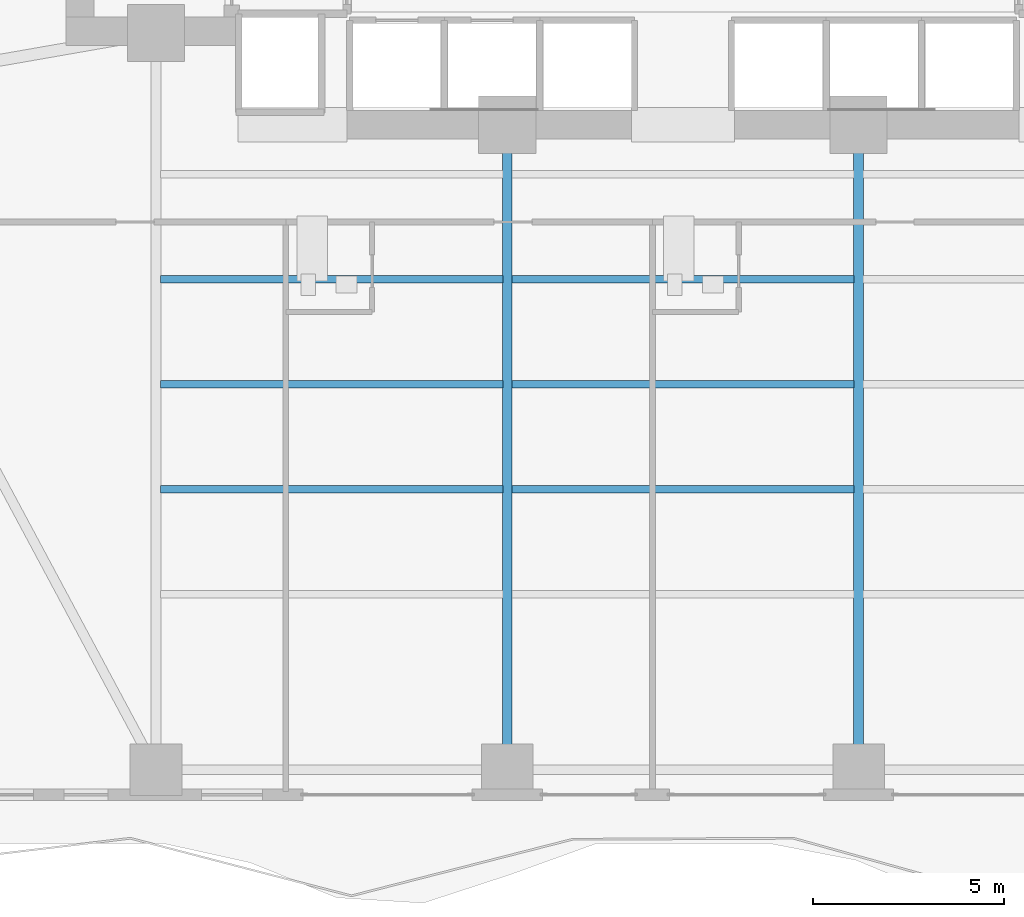
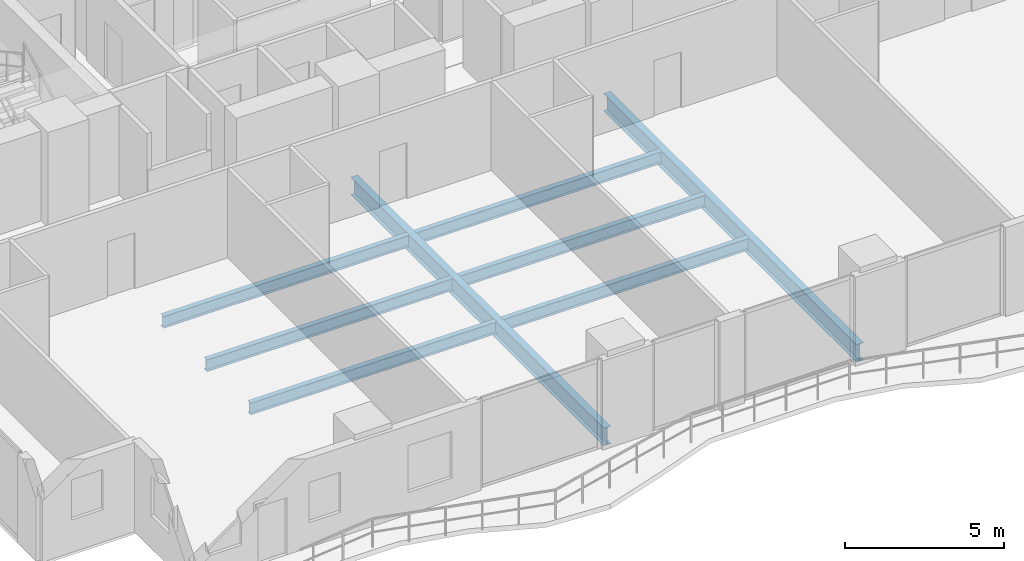
# One storey, part 6 of 28: 8 beams.
"""IFC4 building model written with IfcOpenShell, lengths in metres."""

from ifc_helpers import new_model, si_unit, direction, frame, origin, origin_2d, place, context, subcontext, project, spatial, i_section, extrude, material, material_profile, profile_set, type_object, element, save


model = new_model("IFC4")

# Units and contexts
model_context = context("Model", 3, precision=1e-05, world=origin(), true_north=direction((0.0, 1.0)))
body_context = subcontext(model_context, "Body", "Model", "MODEL_VIEW")
ifc_project = project(units=[si_unit("LENGTHUNIT", "METRE"), si_unit("AREAUNIT", "SQUARE_METRE"), si_unit("VOLUMEUNIT", "CUBIC_METRE"), si_unit("PLANEANGLEUNIT", "RADIAN"), si_unit("MASSUNIT", "GRAM", prefix="KILO")], contexts=[model_context])

# Site, building, storey
site_placement = place(None, origin())
site = spatial("IfcSite", under=ifc_project, at=site_placement, CompositionType="ELEMENT")
building_placement = place(site_placement, origin())
building = spatial("IfcBuilding", under=site, at=building_placement, Name="Zuhayl Quay Hotel", CompositionType="ELEMENT")
storey_placement = place(building_placement, frame((0.0, 0.0, 143.10009765625)))
storey = spatial("IfcBuildingStorey", under=building, at=storey_placement, Name="L36", CompositionType="ELEMENT", Elevation=143.10009765625)

# Beams
ifc_material = material(Name="Steel ASTM A992 Grade 50", Category="steel")
ifc_material_profile_1 = material_profile(ifc_material, i_section(OverallWidth=0.25390625, OverallDepth=0.68310546875, WebThickness=0.012451171875, FlangeThickness=0.018798828125, at=origin_2d()), Name="W27X94")
ifc_profile_set_1 = profile_set([ifc_material_profile_1], Name="Steel ASTM A992 Grade 50")
beam_type_1 = type_object("IfcBeamType", Name="BM_B2_W27X94", PredefinedType="BEAM", material=ifc_profile_set_1)
for number, where, z_axis, x_axis, name in (
    (1, (-4.60009765625, -14.25, -0.5615234375), (0.0, 1.0, 0.0), (-1.0, 0.0, 0.0), "L36 Floor Beam FG_S_L36_2"),
    (2, (4.60009765625, -14.25, -0.5615234375), (0.0, 1.0, 0.0), (-1.0, 0.0, 0.0), "L36 Floor Beam FG_S_L36_3"),
):
    element("IfcBeam", number, at=place(storey_placement, frame(where, z_axis=z_axis, x_axis=x_axis)), inside=storey, type_object=beam_type_1, Name=name, PredefinedType="BEAM", context=body_context, shape_type="SweptSolid", body=[
        extrude(i_section(OverallWidth=0.25390625, OverallDepth=0.68310546875, WebThickness=0.012451171875, FlangeThickness=0.018798828125, at=origin_2d()), origin(), (0.0, 0.0, 1.0), 15.949951171875),
    ])
ifc_material_profile_2 = material_profile(ifc_material, i_section(OverallWidth=0.18994140625, OverallDepth=0.45703125, WebThickness=0.009033203125, FlangeThickness=0.014404296875, at=origin_2d()), Name="W18X50")
ifc_profile_set_2 = profile_set([ifc_material_profile_2], Name="Steel ASTM A992 Grade 50")
beam_type_2 = type_object("IfcBeamType", Name="BM_J2_W18X50", PredefinedType="JOIST", material=ifc_profile_set_2)
for number, where, z_axis, x_axis, name in (
    (3, (-13.680908203125, -7.39990234375, -0.448486328125), (1.0, 0.0, 0.0), (0.0, 1.0, 0.0), "L36 Floor Beam FJ_L36_6_1"),
    (4, (-4.48095703125, -7.39990234375, -0.448486328125), (1.0, 0.0, 0.0), (0.0, 1.0, 0.0), "L36 Floor Beam FJ_L36_6_2"),
    (5, (-13.680908203125, -4.64990234375, -0.448486328125), (1.0, 0.0, 0.0), (0.0, 1.0, 0.0), "L36 Floor Beam FJ_L36_7_1"),
    (6, (-4.48095703125, -4.64990234375, -0.448486328125), (1.0, 0.0, 0.0), (0.0, 1.0, 0.0), "L36 Floor Beam FJ_L36_7_2"),
    (7, (-13.680908203125, -1.89990234375, -0.448486328125), (1.0, 0.0, 0.0), (0.0, 1.0, 0.0), "L36 Floor Beam FJ_L36_8_1"),
    (8, (-4.48095703125, -1.89990234375, -0.448486328125), (1.0, 0.0, 0.0), (0.0, 1.0, 0.0), "L36 Floor Beam FJ_L36_8_2"),
):
    element("IfcBeam", number, at=place(storey_placement, frame(where, z_axis=z_axis, x_axis=x_axis)), inside=storey, type_object=beam_type_2, Name=name, PredefinedType="JOIST", context=body_context, shape_type="SweptSolid", body=[
        extrude(i_section(OverallWidth=0.18994140625, OverallDepth=0.45703125, WebThickness=0.009033203125, FlangeThickness=0.014404296875, at=origin_2d()), origin(), (0.0, 0.0, 1.0), 8.9619140625),
    ])

save(model, "model.ifc")
